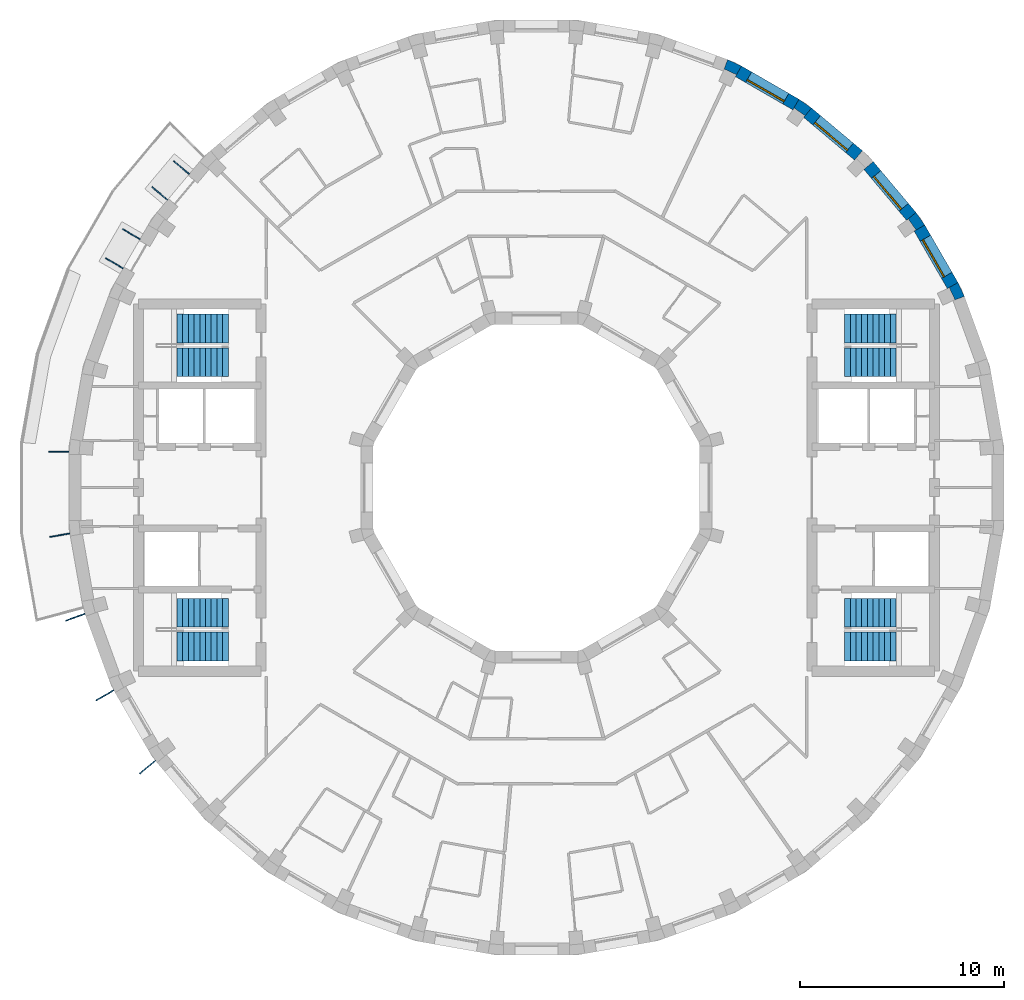
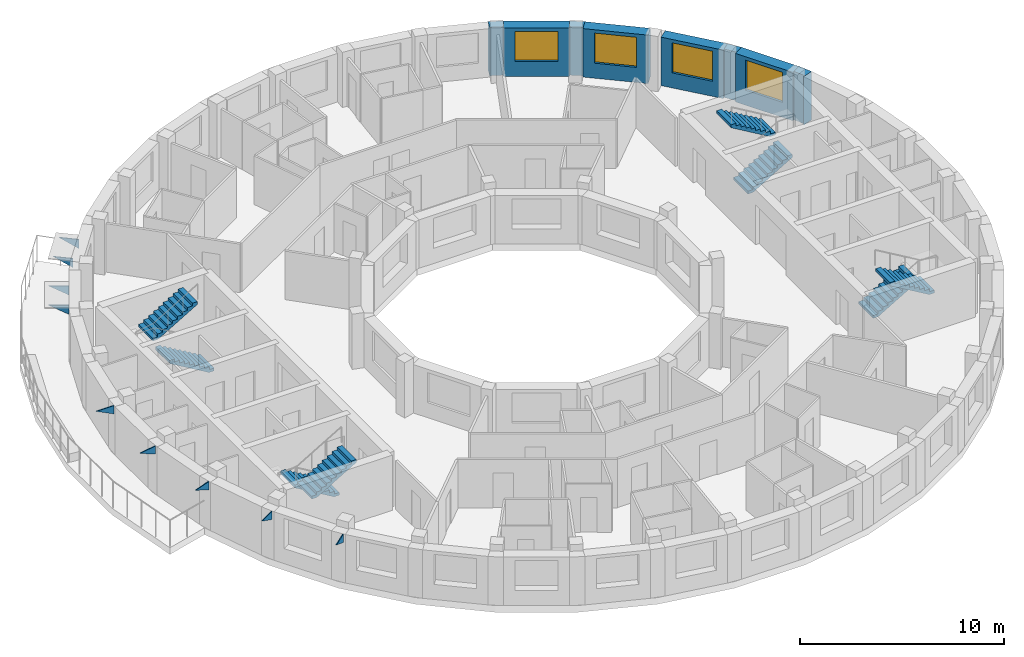
# One storey, part 9 of 10: 9 discrete accessories, 8 stair flights, 8 walls, 4 windows, 4 openings, 4 elements without a shape of their own.
"""IFC4 building model written with IfcOpenShell, lengths in metres."""

from ifc_helpers import new_model, si_unit, direction, frame, frame_2d, origin, place, context, subcontext, project, spatial, polyline, rectangle, outline, extrude, material, layer, layer_set, type_object, element, fill, aggregate, save


model = new_model("IFC4")

# Units and contexts
model_context = context("Model", 3, precision=1e-05, world=origin(), true_north=direction((0.0, 1.0)))
body_context = subcontext(model_context, "Body", "Model", "MODEL_VIEW")
ifc_project = project(units=[si_unit("LENGTHUNIT", "METRE"), si_unit("AREAUNIT", "SQUARE_METRE"), si_unit("VOLUMEUNIT", "CUBIC_METRE"), si_unit("PLANEANGLEUNIT", "RADIAN"), si_unit("MASSUNIT", "GRAM", prefix="KILO")], contexts=[model_context])

# Site, building, storey
site_placement = place(None, origin())
site = spatial("IfcSite", under=ifc_project, at=site_placement, CompositionType="ELEMENT")
building_placement = place(site_placement, origin())
building = spatial("IfcBuilding", under=site, at=building_placement, Name="Saqina Gate Tower", CompositionType="ELEMENT")
storey_placement = place(building_placement, frame((0.0, 0.0, 246.199951171875)))
storey = spatial("IfcBuildingStorey", under=building, at=storey_placement, Name="L70", CompositionType="ELEMENT", Elevation=246.199951171875)

# Walls
ifc_material_1 = material(Name="Brick masonry (buff)", Category="masonry")
wall_type_1 = type_object("IfcWallType", Name="BRICK PIER COPING BUFF", PredefinedType="SOLIDWALL", material=ifc_material_1)
wall_1_placement = place(storey_placement, origin())
element("IfcWall", 1, at=wall_1_placement, inside=storey, type_object=wall_type_1, Name="Pier cap L70 column 3", PredefinedType="SOLIDWALL", context=body_context, shape_type="SweptSolid", body=[
    extrude(outline(polyline([(20.974609375, 9.3642578125), (20.65576171875, 10.048095703125), (20.135986328125, 9.748291015625), (20.23193359375, 9.79296875), (20.506591796875, 9.203857421875), (20.410888671875, 9.1591796875), (20.974609375, 9.3642578125)])), origin(), (0.0, 0.0, 1.0), 2.900146484375),
])
wall_2_placement = place(storey_placement, origin())
element("IfcWall", 2, at=wall_2_placement, inside=storey, type_object=wall_type_1, Name="Pier cap L70 column 4", PredefinedType="SOLIDWALL", context=body_context, shape_type="SweptSolid", body=[
    extrude(outline(polyline([(19.02978515625, 12.8642578125), (18.59716796875, 13.482421875), (18.137451171875, 13.0966796875), (18.22412109375, 13.157470703125), (18.596923828125, 12.625), (18.51025390625, 12.564208984375), (19.02978515625, 12.8642578125)])), origin(), (0.0, 0.0, 1.0), 2.900146484375),
])
wall_3_placement = place(storey_placement, origin())
element("IfcWall", 3, at=wall_3_placement, inside=storey, type_object=wall_type_1, Name="Pier cap L70 column 6", PredefinedType="SOLIDWALL", context=body_context, shape_type="SweptSolid", body=[
    extrude(outline(polyline([(12.8642578125, 19.02978515625), (12.564208984375, 18.51025390625), (12.625, 18.596923828125), (13.157470703125, 18.22412109375), (13.0966796875, 18.137451171875), (13.482421875, 18.59716796875), (12.8642578125, 19.02978515625)])), origin(), (0.0, 0.0, 1.0), 2.900146484375),
])
wall_4_placement = place(storey_placement, origin())
element("IfcWall", 4, at=wall_4_placement, inside=storey, type_object=wall_type_1, Name="Pier cap L70 column 7", PredefinedType="SOLIDWALL", context=body_context, shape_type="SweptSolid", body=[
    extrude(outline(polyline([(10.048095703125, 20.65576171875), (9.3642578125, 20.974609375), (9.1591796875, 20.410888671875), (9.203857421875, 20.506591796875), (9.79296875, 20.23193359375), (9.748291015625, 20.135986328125), (10.048095703125, 20.65576171875)])), origin(), (0.0, 0.0, 1.0), 2.900146484375),
])

# Wall, opening, window
ifc_material_2 = material(Name="Brick masonry (buff)", Category="masonry")
ifc_layer_1 = layer(ifc_material_2, 0.60009765625)
ifc_layer_set_1 = layer_set([ifc_layer_1], Name="FW-BRICK-BUFF")
wall_type_2 = type_object("IfcWallType", Name="FW-BRICK-BUFF", PredefinedType="SOLIDWALL", material=ifc_layer_set_1)
wall_5_placement = place(storey_placement, frame((20.39599609375, 9.898193359375, 0.0), z_axis=(0.0, 0.0, 1.0), x_axis=(-0.500014901547, 0.866016800201, 0.0)))
wall_5 = element("IfcWall", 5, at=wall_5_placement, inside=storey, type_object=wall_type_2, Name="Facade wall L70 facet 3", PredefinedType="SOLIDWALL", context=body_context, shape_type="SweptSolid", body=[
    extrude(rectangle(XDim=3.251953125, YDim=0.60009765625, at=frame_2d((1.6259765625, 0.0))), origin(), (0.0, 0.0, 1.0), 2.900146484375),
])
opening_1_placement = place(wall_5_placement, frame((0.57568359375, 0.0, 0.89990234375)))
opening_1 = element("IfcOpeningElement", 6, at=opening_1_placement, cuts=wall_5, Name="Opening G20-W01", PredefinedType="OPENING", context=body_context, shape_type="SweptSolid", body=[
    extrude(rectangle(XDim=2.10009765625, YDim=1.800048828125, at=frame_2d((1.050048828125, 0.89990234375))), frame((0.0, 0.31201171875, 0.0), z_axis=(0.0, -1.0, 0.0), x_axis=(1.0, 0.0, 0.0)), (0.0, 0.0, 1.0), 0.6240234375),
])
ifc_material_3 = material(Name="Aluminium glazing", Category="aluminium")
window_type = type_object("IfcWindowType", Name="WN-D", PartitioningType="SINGLE_PANEL", PredefinedType="WINDOW", material=ifc_material_3)
window_1_placement = place(opening_1_placement, origin())
window_1 = element("IfcWindow", 7, at=window_1_placement, inside=storey, type_object=window_type, Name="Window L70 facet 3", OverallHeight=1.800048828125, OverallWidth=2.10009765625, PartitioningType="SINGLE_PANEL", PredefinedType="WINDOW", context=body_context, shape_type="SweptSolid", body=[
    extrude(rectangle(XDim=2.10009765625, YDim=1.800048828125, at=frame_2d((1.050048828125, 0.89990234375))), frame((0.0, 0.179931640625, 0.0), z_axis=(0.0, -1.0, 0.0), x_axis=(1.0, 0.0, 0.0)), (0.0, 0.0, 1.0), 0.06005859375),
])
fill(opening_1, window_1)

wall_6_placement = place(storey_placement, frame((18.3671875, 13.28955078125, 0.0), z_axis=(0.0, 0.0, 1.0), x_axis=(-0.64277291405, 0.766056773982, 0.0)))
wall_6 = element("IfcWall", 8, at=wall_6_placement, inside=storey, type_object=wall_type_2, Name="Facade wall L70 facet 4", PredefinedType="SOLIDWALL", context=body_context, shape_type="SweptSolid", body=[
    extrude(rectangle(XDim=3.251708984375, YDim=0.60009765625, at=frame_2d((1.6259765625, 0.0))), origin(), (0.0, 0.0, 1.0), 2.900146484375),
])
opening_2_placement = place(wall_6_placement, frame((0.57568359375, 0.0, 0.89990234375)))
opening_2 = element("IfcOpeningElement", 9, at=opening_2_placement, cuts=wall_6, Name="Opening G20-W02", PredefinedType="OPENING", context=body_context, shape_type="SweptSolid", body=[
    extrude(rectangle(XDim=2.10009765625, YDim=1.800048828125, at=frame_2d((1.050048828125, 0.89990234375))), frame((0.0, 0.31201171875, 0.0), z_axis=(0.0, -1.0, 0.0), x_axis=(1.0, 0.0, 0.0)), (0.0, 0.0, 1.0), 0.6240234375),
])
window_2_placement = place(opening_2_placement, origin())
window_2 = element("IfcWindow", 10, at=window_2_placement, inside=storey, type_object=window_type, Name="Window L70 facet 4", OverallHeight=1.800048828125, OverallWidth=2.10009765625, PartitioningType="SINGLE_PANEL", PredefinedType="WINDOW", context=body_context, shape_type="SweptSolid", body=[
    extrude(rectangle(XDim=2.10009765625, YDim=1.800048828125, at=frame_2d((1.050048828125, 0.89990234375))), frame((0.0, 0.179931640625, 0.0), z_axis=(0.0, -1.0, 0.0), x_axis=(1.0, 0.0, 0.0)), (0.0, 0.0, 1.0), 0.06005859375),
])
fill(opening_2, window_2)

wall_7_placement = place(storey_placement, frame((15.780517578125, 16.277099609375, 0.0), z_axis=(0.0, 0.0, 1.0), x_axis=(-0.766056773982, 0.64277291405, 0.0)))
wall_7 = element("IfcWall", 11, at=wall_7_placement, inside=storey, type_object=wall_type_2, Name="Facade wall L70 facet 5", PredefinedType="SOLIDWALL", context=body_context, shape_type="SweptSolid", body=[
    extrude(rectangle(XDim=3.251708984375, YDim=0.60009765625, at=frame_2d((1.6259765625, 0.0))), origin(), (0.0, 0.0, 1.0), 2.900146484375),
])
opening_3_placement = place(wall_7_placement, frame((0.57568359375, 0.0, 0.89990234375)))
opening_3 = element("IfcOpeningElement", 12, at=opening_3_placement, cuts=wall_7, Name="Opening G20-W03", PredefinedType="OPENING", context=body_context, shape_type="SweptSolid", body=[
    extrude(rectangle(XDim=2.10009765625, YDim=1.800048828125, at=frame_2d((1.050048828125, 0.89990234375))), frame((0.0, 0.31201171875, 0.0), z_axis=(0.0, -1.0, 0.0), x_axis=(1.0, 0.0, 0.0)), (0.0, 0.0, 1.0), 0.6240234375),
])
window_3_placement = place(opening_3_placement, origin())
window_3 = element("IfcWindow", 13, at=window_3_placement, inside=storey, type_object=window_type, Name="Window L70 facet 5", OverallHeight=1.800048828125, OverallWidth=2.10009765625, PartitioningType="SINGLE_PANEL", PredefinedType="WINDOW", context=body_context, shape_type="SweptSolid", body=[
    extrude(rectangle(XDim=2.10009765625, YDim=1.800048828125, at=frame_2d((1.050048828125, 0.89990234375))), frame((0.0, 0.179931640625, 0.0), z_axis=(0.0, -1.0, 0.0), x_axis=(1.0, 0.0, 0.0)), (0.0, 0.0, 1.0), 0.06005859375),
])
fill(opening_3, window_3)

wall_8_placement = place(storey_placement, frame((12.71435546875, 18.77001953125, 0.0), z_axis=(0.0, 0.0, 1.0), x_axis=(-0.866016800201, 0.500014901547, 0.0)))
wall_8 = element("IfcWall", 14, at=wall_8_placement, inside=storey, type_object=wall_type_2, Name="Facade wall L70 facet 6", PredefinedType="SOLIDWALL", context=body_context, shape_type="SweptSolid", body=[
    extrude(rectangle(XDim=3.251953125, YDim=0.60009765625, at=frame_2d((1.6259765625, 0.0))), origin(), (0.0, 0.0, 1.0), 2.900146484375),
])
opening_4_placement = place(wall_8_placement, frame((0.57568359375, 0.0, 0.89990234375)))
opening_4 = element("IfcOpeningElement", 15, at=opening_4_placement, cuts=wall_8, Name="Opening G20-W04", PredefinedType="OPENING", context=body_context, shape_type="SweptSolid", body=[
    extrude(rectangle(XDim=2.10009765625, YDim=1.800048828125, at=frame_2d((1.050048828125, 0.89990234375))), frame((0.0, 0.31201171875, 0.0), z_axis=(0.0, -1.0, 0.0), x_axis=(1.0, 0.0, 0.0)), (0.0, 0.0, 1.0), 0.6240234375),
])
window_4_placement = place(opening_4_placement, origin())
window_4 = element("IfcWindow", 16, at=window_4_placement, inside=storey, type_object=window_type, Name="Window L70 facet 6", OverallHeight=1.800048828125, OverallWidth=2.10009765625, PartitioningType="SINGLE_PANEL", PredefinedType="WINDOW", context=body_context, shape_type="SweptSolid", body=[
    extrude(rectangle(XDim=2.10009765625, YDim=1.800048828125, at=frame_2d((1.050048828125, 0.89990234375))), frame((0.0, 0.179931640625, 0.0), z_axis=(0.0, -1.0, 0.0), x_axis=(1.0, 0.0, 0.0)), (0.0, 0.0, 1.0), 0.06005859375),
])
fill(opening_4, window_4)

# Stair, stair flights
ifc_material_4 = material(Name="Concrete C40/50", Category="concrete")
stair_type = type_object("IfcStairType", Name="EXIT STAIR", PredefinedType="HALF_TURN_STAIR", material=ifc_material_4)
stair_1_placement = place(storey_placement, origin())
stair_1 = element("IfcStair", 17, at=stair_1_placement, inside=storey, type_object=stair_type, Name="EXIT STAIR 1", PredefinedType="HALF_TURN_STAIR")
ifc_material_5 = material(Name="Concrete C40/50", Category="concrete")
stair_flight_type = type_object("IfcStairFlightType", Name="EXIT STAIR FLIGHT", PredefinedType="STRAIGHT", material=ifc_material_5)
stair_flight_1_placement = place(storey_placement, frame((15.10009765625, 6.13330078125, 0.0), z_axis=(0.0, 0.0, 1.0), x_axis=(1.0, 0.0, 0.0)))
stair_flight_1 = element("IfcStairFlight", 18, at=stair_flight_1_placement, type_object=stair_flight_type, Name="EXIT STAIR 1 FLIGHT 1", NumberOfRisers=10, NumberOfTreads=9, PredefinedType="STRAIGHT", RiserHeight=0.165, TreadLength=0.28, context=body_context, shape_type="SweptSolid", body=[
    extrude(outline(polyline([(0.0, 0.0), (0.0, 0.1650390625), (0.280029296875, 0.1650390625), (0.280029296875, 0.330078125), (0.56005859375, 0.330078125), (0.56005859375, 0.4951171875), (0.840087890625, 0.4951171875), (0.840087890625, 0.659912109375), (1.1201171875, 0.659912109375), (1.1201171875, 0.824951171875), (1.39990234375, 0.824951171875), (1.39990234375, 0.989990234375), (1.679931640625, 0.989990234375), (1.679931640625, 1.155029296875), (1.9599609375, 1.155029296875), (1.9599609375, 1.320068359375), (2.239990234375, 1.320068359375), (2.239990234375, 1.485107421875), (2.52001953125, 1.485107421875), (2.52001953125, 1.64990234375), (2.52001953125, 1.31103515625), (0.295166015625, 0.0), (0.0, 0.0)])), frame((0.0, 0.699951171875, 0.0), z_axis=(0.0, -1.0, 0.0), x_axis=(1.0, 0.0, 0.0)), (0.0, 0.0, 1.0), 1.39990234375),
])
stair_flight_2_placement = place(storey_placement, frame((17.6201171875, 7.791748046875, 1.650146484375), z_axis=(0.0, 0.0, 1.0), x_axis=(-1.0, 0.0, 0.0)))
stair_flight_2 = element("IfcStairFlight", 19, at=stair_flight_2_placement, type_object=stair_flight_type, Name="EXIT STAIR 1 FLIGHT 2", NumberOfRisers=10, NumberOfTreads=9, PredefinedType="STRAIGHT", RiserHeight=0.165, TreadLength=0.28, context=body_context, shape_type="SweptSolid", body=[
    extrude(outline(polyline([(0.0, 0.0), (0.0, 0.1650390625), (0.280029296875, 0.1650390625), (0.280029296875, 0.330078125), (0.56005859375, 0.330078125), (0.56005859375, 0.4951171875), (0.840087890625, 0.4951171875), (0.840087890625, 0.659912109375), (1.1201171875, 0.659912109375), (1.1201171875, 0.824951171875), (1.39990234375, 0.824951171875), (1.39990234375, 0.989990234375), (1.679931640625, 0.989990234375), (1.679931640625, 1.155029296875), (1.9599609375, 1.155029296875), (1.9599609375, 1.320068359375), (2.239990234375, 1.320068359375), (2.239990234375, 1.485107421875), (2.52001953125, 1.485107421875), (2.52001953125, 1.64990234375), (2.52001953125, 1.31103515625), (0.295166015625, 0.0), (0.0, 0.0)])), frame((0.0, 0.699951171875, 0.0), z_axis=(0.0, -1.0, 0.0), x_axis=(1.0, 0.0, 0.0)), (0.0, 0.0, 1.0), 1.39990234375),
])
aggregate(stair_1, [stair_flight_1, stair_flight_2])

stair_2_placement = place(storey_placement, origin())
stair_2 = element("IfcStair", 20, at=stair_2_placement, inside=storey, type_object=stair_type, Name="EXIT STAIR 2", PredefinedType="HALF_TURN_STAIR")
stair_flight_3_placement = place(storey_placement, frame((15.10009765625, -6.13330078125, 0.0), z_axis=(0.0, 0.0, 1.0), x_axis=(1.0, 0.0, 0.0)))
stair_flight_3 = element("IfcStairFlight", 21, at=stair_flight_3_placement, type_object=stair_flight_type, Name="EXIT STAIR 2 FLIGHT 1", NumberOfRisers=10, NumberOfTreads=9, PredefinedType="STRAIGHT", RiserHeight=0.165, TreadLength=0.28, context=body_context, shape_type="SweptSolid", body=[
    extrude(outline(polyline([(0.0, 0.0), (0.0, 0.1650390625), (0.280029296875, 0.1650390625), (0.280029296875, 0.330078125), (0.56005859375, 0.330078125), (0.56005859375, 0.4951171875), (0.840087890625, 0.4951171875), (0.840087890625, 0.659912109375), (1.1201171875, 0.659912109375), (1.1201171875, 0.824951171875), (1.39990234375, 0.824951171875), (1.39990234375, 0.989990234375), (1.679931640625, 0.989990234375), (1.679931640625, 1.155029296875), (1.9599609375, 1.155029296875), (1.9599609375, 1.320068359375), (2.239990234375, 1.320068359375), (2.239990234375, 1.485107421875), (2.52001953125, 1.485107421875), (2.52001953125, 1.64990234375), (2.52001953125, 1.31103515625), (0.295166015625, 0.0), (0.0, 0.0)])), frame((0.0, 0.699951171875, 0.0), z_axis=(0.0, -1.0, 0.0), x_axis=(1.0, 0.0, 0.0)), (0.0, 0.0, 1.0), 1.39990234375),
])
stair_flight_4_placement = place(storey_placement, frame((17.6201171875, -7.791748046875, 1.650146484375), z_axis=(0.0, 0.0, 1.0), x_axis=(-1.0, 0.0, 0.0)))
stair_flight_4 = element("IfcStairFlight", 22, at=stair_flight_4_placement, type_object=stair_flight_type, Name="EXIT STAIR 2 FLIGHT 2", NumberOfRisers=10, NumberOfTreads=9, PredefinedType="STRAIGHT", RiserHeight=0.165, TreadLength=0.28, context=body_context, shape_type="SweptSolid", body=[
    extrude(outline(polyline([(0.0, 0.0), (0.0, 0.1650390625), (0.280029296875, 0.1650390625), (0.280029296875, 0.330078125), (0.56005859375, 0.330078125), (0.56005859375, 0.4951171875), (0.840087890625, 0.4951171875), (0.840087890625, 0.659912109375), (1.1201171875, 0.659912109375), (1.1201171875, 0.824951171875), (1.39990234375, 0.824951171875), (1.39990234375, 0.989990234375), (1.679931640625, 0.989990234375), (1.679931640625, 1.155029296875), (1.9599609375, 1.155029296875), (1.9599609375, 1.320068359375), (2.239990234375, 1.320068359375), (2.239990234375, 1.485107421875), (2.52001953125, 1.485107421875), (2.52001953125, 1.64990234375), (2.52001953125, 1.31103515625), (0.295166015625, 0.0), (0.0, 0.0)])), frame((0.0, 0.699951171875, 0.0), z_axis=(0.0, -1.0, 0.0), x_axis=(1.0, 0.0, 0.0)), (0.0, 0.0, 1.0), 1.39990234375),
])
aggregate(stair_2, [stair_flight_3, stair_flight_4])

stair_3_placement = place(storey_placement, origin())
stair_3 = element("IfcStair", 23, at=stair_3_placement, inside=storey, type_object=stair_type, Name="EXIT STAIR 3", PredefinedType="HALF_TURN_STAIR")
stair_flight_5_placement = place(storey_placement, frame((-15.10009765625, 6.13330078125, 0.0), z_axis=(0.0, 0.0, 1.0), x_axis=(-1.0, 0.0, 0.0)))
stair_flight_5 = element("IfcStairFlight", 24, at=stair_flight_5_placement, type_object=stair_flight_type, Name="EXIT STAIR 3 FLIGHT 1", NumberOfRisers=10, NumberOfTreads=9, PredefinedType="STRAIGHT", RiserHeight=0.165, TreadLength=0.28, context=body_context, shape_type="SweptSolid", body=[
    extrude(outline(polyline([(0.0, 0.0), (0.0, 0.1650390625), (0.280029296875, 0.1650390625), (0.280029296875, 0.330078125), (0.56005859375, 0.330078125), (0.56005859375, 0.4951171875), (0.840087890625, 0.4951171875), (0.840087890625, 0.659912109375), (1.1201171875, 0.659912109375), (1.1201171875, 0.824951171875), (1.39990234375, 0.824951171875), (1.39990234375, 0.989990234375), (1.679931640625, 0.989990234375), (1.679931640625, 1.155029296875), (1.9599609375, 1.155029296875), (1.9599609375, 1.320068359375), (2.239990234375, 1.320068359375), (2.239990234375, 1.485107421875), (2.52001953125, 1.485107421875), (2.52001953125, 1.64990234375), (2.52001953125, 1.31103515625), (0.295166015625, 0.0), (0.0, 0.0)])), frame((0.0, 0.699951171875, 0.0), z_axis=(0.0, -1.0, 0.0), x_axis=(1.0, 0.0, 0.0)), (0.0, 0.0, 1.0), 1.39990234375),
])
stair_flight_6_placement = place(storey_placement, frame((-17.6201171875, 7.791748046875, 1.650146484375), z_axis=(0.0, 0.0, 1.0), x_axis=(1.0, 0.0, 0.0)))
stair_flight_6 = element("IfcStairFlight", 25, at=stair_flight_6_placement, type_object=stair_flight_type, Name="EXIT STAIR 3 FLIGHT 2", NumberOfRisers=10, NumberOfTreads=9, PredefinedType="STRAIGHT", RiserHeight=0.165, TreadLength=0.28, context=body_context, shape_type="SweptSolid", body=[
    extrude(outline(polyline([(0.0, 0.0), (0.0, 0.1650390625), (0.280029296875, 0.1650390625), (0.280029296875, 0.330078125), (0.56005859375, 0.330078125), (0.56005859375, 0.4951171875), (0.840087890625, 0.4951171875), (0.840087890625, 0.659912109375), (1.1201171875, 0.659912109375), (1.1201171875, 0.824951171875), (1.39990234375, 0.824951171875), (1.39990234375, 0.989990234375), (1.679931640625, 0.989990234375), (1.679931640625, 1.155029296875), (1.9599609375, 1.155029296875), (1.9599609375, 1.320068359375), (2.239990234375, 1.320068359375), (2.239990234375, 1.485107421875), (2.52001953125, 1.485107421875), (2.52001953125, 1.64990234375), (2.52001953125, 1.31103515625), (0.295166015625, 0.0), (0.0, 0.0)])), frame((0.0, 0.699951171875, 0.0), z_axis=(0.0, -1.0, 0.0), x_axis=(1.0, 0.0, 0.0)), (0.0, 0.0, 1.0), 1.39990234375),
])
aggregate(stair_3, [stair_flight_5, stair_flight_6])

stair_4_placement = place(storey_placement, origin())
stair_4 = element("IfcStair", 26, at=stair_4_placement, inside=storey, type_object=stair_type, Name="EXIT STAIR 4", PredefinedType="HALF_TURN_STAIR")
stair_flight_7_placement = place(storey_placement, frame((-15.10009765625, -6.13330078125, 0.0), z_axis=(0.0, 0.0, 1.0), x_axis=(-1.0, 0.0, 0.0)))
stair_flight_7 = element("IfcStairFlight", 27, at=stair_flight_7_placement, type_object=stair_flight_type, Name="EXIT STAIR 4 FLIGHT 1", NumberOfRisers=10, NumberOfTreads=9, PredefinedType="STRAIGHT", RiserHeight=0.165, TreadLength=0.28, context=body_context, shape_type="SweptSolid", body=[
    extrude(outline(polyline([(0.0, 0.0), (0.0, 0.1650390625), (0.280029296875, 0.1650390625), (0.280029296875, 0.330078125), (0.56005859375, 0.330078125), (0.56005859375, 0.4951171875), (0.840087890625, 0.4951171875), (0.840087890625, 0.659912109375), (1.1201171875, 0.659912109375), (1.1201171875, 0.824951171875), (1.39990234375, 0.824951171875), (1.39990234375, 0.989990234375), (1.679931640625, 0.989990234375), (1.679931640625, 1.155029296875), (1.9599609375, 1.155029296875), (1.9599609375, 1.320068359375), (2.239990234375, 1.320068359375), (2.239990234375, 1.485107421875), (2.52001953125, 1.485107421875), (2.52001953125, 1.64990234375), (2.52001953125, 1.31103515625), (0.295166015625, 0.0), (0.0, 0.0)])), frame((0.0, 0.699951171875, 0.0), z_axis=(0.0, -1.0, 0.0), x_axis=(1.0, 0.0, 0.0)), (0.0, 0.0, 1.0), 1.39990234375),
])
stair_flight_8_placement = place(storey_placement, frame((-17.6201171875, -7.791748046875, 1.650146484375), z_axis=(0.0, 0.0, 1.0), x_axis=(1.0, 0.0, 0.0)))
stair_flight_8 = element("IfcStairFlight", 28, at=stair_flight_8_placement, type_object=stair_flight_type, Name="EXIT STAIR 4 FLIGHT 2", NumberOfRisers=10, NumberOfTreads=9, PredefinedType="STRAIGHT", RiserHeight=0.165, TreadLength=0.28, context=body_context, shape_type="SweptSolid", body=[
    extrude(outline(polyline([(0.0, 0.0), (0.0, 0.1650390625), (0.280029296875, 0.1650390625), (0.280029296875, 0.330078125), (0.56005859375, 0.330078125), (0.56005859375, 0.4951171875), (0.840087890625, 0.4951171875), (0.840087890625, 0.659912109375), (1.1201171875, 0.659912109375), (1.1201171875, 0.824951171875), (1.39990234375, 0.824951171875), (1.39990234375, 0.989990234375), (1.679931640625, 0.989990234375), (1.679931640625, 1.155029296875), (1.9599609375, 1.155029296875), (1.9599609375, 1.320068359375), (2.239990234375, 1.320068359375), (2.239990234375, 1.485107421875), (2.52001953125, 1.485107421875), (2.52001953125, 1.64990234375), (2.52001953125, 1.31103515625), (0.295166015625, 0.0), (0.0, 0.0)])), frame((0.0, 0.699951171875, 0.0), z_axis=(0.0, -1.0, 0.0), x_axis=(1.0, 0.0, 0.0)), (0.0, 0.0, 1.0), 1.39990234375),
])
aggregate(stair_4, [stair_flight_7, stair_flight_8])

# Discrete accessories
ifc_material_6 = material(Name="Galvanised steel", Category="steel")
ifc_layer_2 = layer(ifc_material_6, 0.050048828125)
ifc_layer_set_2 = layer_set([ifc_layer_2], Name="BR-AWNING")
discrete_accessory_type_1 = type_object("IfcDiscreteAccessoryType", Name="BR-AWNING", PredefinedType="BRACKET", material=ifc_layer_set_2)
for number, where, z_axis, x_axis, name in (
    (29, (-17.037109375, 15.34130859375, 1.97509765625), (-0.64277405138, -0.766055819685, 0.0), (0.0, 0.0, 1.0), "Awning bracket L70 facet 14"),
    (30, (-18.098876953125, 14.076171875, 1.97509765625), (-0.64277405138, -0.766055819685, 0.0), (0.0, 0.0, 1.0), "Awning bracket L70 facet 14"),
):
    element("IfcDiscreteAccessory", number, at=place(storey_placement, frame(where, z_axis=z_axis, x_axis=x_axis)), inside=storey, type_object=discrete_accessory_type_1, Name=name, PredefinedType="BRACKET", context=body_context, shape_type="SweptSolid", body=[
        extrude(outline(polyline([(0.0, 0.0), (0.550048828125, 0.0), (0.550048828125, 1.0000750096322273), (0.0, 0.0)])), origin(), (0.0, 0.0, -1.0), 0.050048828125),
    ])
for number, where, z_axis, x_axis, name in (
    (31, (-19.4423828125, 12.14990234375, 1.97509765625), (-0.50002537861, -0.866010750942, 0.0), (0.0, 0.0, 1.0), "Awning bracket L70 facet 15"),
    (32, (-20.268310546875, 10.719482421875, 1.97509765625), (-0.50002537861, -0.866010750942, 0.0), (0.0, 0.0, 1.0), "Awning bracket L70 facet 15"),
):
    element("IfcDiscreteAccessory", number, at=place(storey_placement, frame(where, z_axis=z_axis, x_axis=x_axis)), inside=storey, type_object=discrete_accessory_type_1, Name=name, PredefinedType="BRACKET", context=body_context, shape_type="SweptSolid", body=[
        extrude(outline(polyline([(0.0, 0.0), (0.550048828125, 0.0), (0.550048828125, 0.9999492453569568), (0.0, 0.0)])), origin(), (0.0, 0.0, -1.0), 0.050048828125),
    ])
ifc_material_7 = material(Name="Galvanised steel", Category="steel")
ifc_layer_3 = layer(ifc_material_7, 0.050048828125)
ifc_layer_set_3 = layer_set([ifc_layer_3], Name="BR-GUSSET")
discrete_accessory_type_2 = type_object("IfcDiscreteAccessoryType", Name="BR-GUSSET", PredefinedType="BRACKET", material=ifc_layer_set_3)
discrete_accessory_1_placement = place(storey_placement, frame((-22.91259765625, 1.7294921875, 2.400146484375), z_axis=(0.0, -1.0, 0.0), x_axis=(0.0, 0.0, 1.0)))
element("IfcDiscreteAccessory", 33, at=discrete_accessory_1_placement, inside=storey, type_object=discrete_accessory_type_2, Name="Terrace slab bracket L71 1", PredefinedType="BRACKET", context=body_context, shape_type="SweptSolid", body=[
    extrude(outline(polyline([(0.0, 0.0), (0.5, 0.0), (0.5, 1.0), (0.0, 0.0)])), origin(), (0.0, 0.0, -1.0), 0.050048828125),
])
discrete_accessory_2_placement = place(storey_placement, frame((-22.86474609375, -2.275390625, 2.400146484375), z_axis=(0.173813186416, -0.984778643263, 0.0), x_axis=(0.0, 0.0, 1.0)))
element("IfcDiscreteAccessory", 34, at=discrete_accessory_2_placement, inside=storey, type_object=discrete_accessory_type_2, Name="Terrace slab bracket L71 2", PredefinedType="BRACKET", context=body_context, shape_type="SweptSolid", body=[
    extrude(outline(polyline([(0.0, 0.0), (0.5, 0.0), (0.5, 1.000085946204391), (0.0, 0.0)])), origin(), (0.0, 0.0, -1.0), 0.050048828125),
])
discrete_accessory_3_placement = place(storey_placement, frame((-22.122314453125, -6.211181640625, 2.400146484375), z_axis=(0.342037080957, -0.939686455819, 0.0), x_axis=(0.0, 0.0, 1.0)))
element("IfcDiscreteAccessory", 35, at=discrete_accessory_3_placement, inside=storey, type_object=discrete_accessory_type_2, Name="Terrace slab bracket L71 3", PredefinedType="BRACKET", context=body_context, shape_type="SweptSolid", body=[
    extrude(outline(polyline([(0.0, 0.0), (0.5, 0.0), (0.5, 1.000011503630275), (0.0, 0.0)])), origin(), (0.0, 0.0, -1.0), 0.050048828125),
])
discrete_accessory_4_placement = place(storey_placement, frame((-20.70751953125, -9.95849609375, 2.400146484375), z_axis=(0.50002537861, -0.866010750942, 0.0), x_axis=(0.0, 0.0, 1.0)))
element("IfcDiscreteAccessory", 36, at=discrete_accessory_4_placement, inside=storey, type_object=discrete_accessory_type_2, Name="Terrace slab bracket L71 4", PredefinedType="BRACKET", context=body_context, shape_type="SweptSolid", body=[
    extrude(outline(polyline([(0.0, 0.0), (0.5, 0.0), (0.5, 0.9999492453569568), (0.0, 0.0)])), origin(), (0.0, 0.0, -1.0), 0.050048828125),
])
discrete_accessory_5_placement = place(storey_placement, frame((-18.663818359375, -13.40283203125, 2.400146484375), z_axis=(0.642894271969, -0.765954930181, 0.0), x_axis=(0.0, 0.0, 1.0)))
element("IfcDiscreteAccessory", 37, at=discrete_accessory_5_placement, inside=storey, type_object=discrete_accessory_type_2, Name="Terrace slab bracket L71 5", PredefinedType="BRACKET", context=body_context, shape_type="SweptSolid", body=[
    extrude(outline(polyline([(0.0, 0.0), (0.5, 0.0), (0.5, 0.9998879966000863), (0.0, 0.0)])), origin(), (0.0, 0.0, -1.0), 0.050048828125),
])

save(model, "model.ifc")
